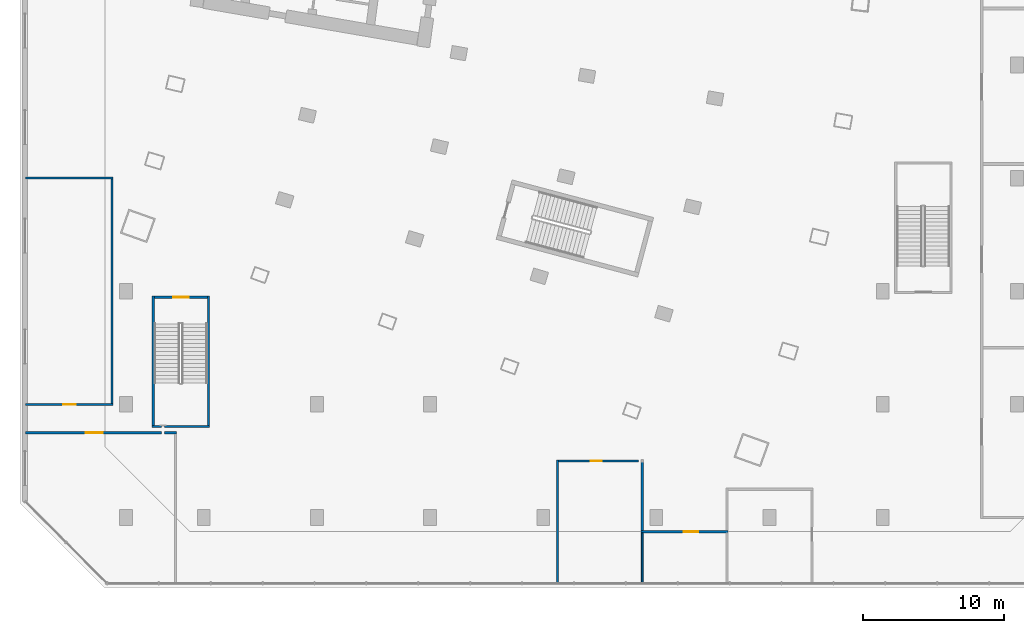
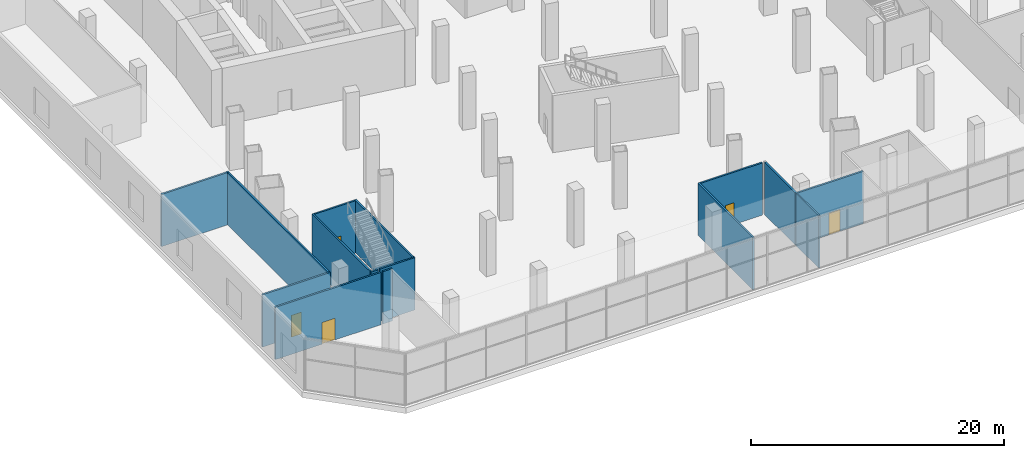
# One storey, part 9 of 26: 15 walls, 5 doors, 5 openings.
"""IFC4 building model written with IfcOpenShell, lengths in metres."""

from ifc_helpers import new_model, si_unit, direction, frame, frame_2d, origin, place, context, subcontext, project, spatial, rectangle, extrude, material, layer, layer_set, type_object, element, fill, save


model = new_model("IFC4")

# Units and contexts
model_context = context("Model", 3, precision=1e-05, world=origin(), true_north=direction((0.0, 1.0)))
body_context = subcontext(model_context, "Body", "Model", "MODEL_VIEW")
ifc_project = project(units=[si_unit("LENGTHUNIT", "METRE"), si_unit("AREAUNIT", "SQUARE_METRE"), si_unit("VOLUMEUNIT", "CUBIC_METRE"), si_unit("PLANEANGLEUNIT", "RADIAN"), si_unit("MASSUNIT", "GRAM", prefix="KILO")], contexts=[model_context])

# Site, building, storey
site_placement = place(None, origin())
site = spatial("IfcSite", under=ifc_project, at=site_placement, CompositionType="ELEMENT")
building_placement = place(site_placement, origin())
building = spatial("IfcBuilding", under=site, at=building_placement, Name="Alderwake Tower", CompositionType="ELEMENT")
storey_placement = place(building_placement, frame((0.0, 0.0, 8.0)))
storey = spatial("IfcBuildingStorey", under=building, at=storey_placement, Name="L01", CompositionType="ELEMENT", Elevation=8.0)

# Wall, opening, door
ifc_material_1 = material(Name="Gypsum board on metal studs, rated")
ifc_layer_1 = layer(ifc_material_1, 0.159912109375)
ifc_layer_set_1 = layer_set([ifc_layer_1], Name="Corridor wall 160")
wall_type_1 = type_object("IfcWallType", Name="Corridor wall 160", PredefinedType="PARTITIONING", material=ifc_layer_set_1)
wall_1_placement = place(storey_placement, frame((3.3798828125, 14.0009765625, 0.0), z_axis=(0.0, 0.0, 1.0), x_axis=(1.0, 0.0, 0.0)))
wall_1 = element("IfcWall", 1, at=wall_1_placement, inside=storey, type_object=wall_type_1, Name="WL/L01/W26", PredefinedType="PARTITIONING", context=body_context, shape_type="SweptSolid", body=[
    extrude(rectangle(XDim=9.63623046875, YDim=0.159912109375, at=frame_2d((4.818115234375, 0.0))), origin(), (0.0, 0.0, 1.0), 5.050048828125),
])
opening_1_placement = place(wall_1_placement, frame((4.27001953125, 0.0, 0.0)))
opening_1 = element("IfcOpeningElement", 2, at=opening_1_placement, cuts=wall_1, Name="Opening L01-18", PredefinedType="OPENING", context=body_context, shape_type="SweptSolid", body=[
    extrude(rectangle(XDim=1.199951171875, YDim=2.10009765625, at=frame_2d((0.60009765625, 1.050048828125))), frame((0.0, 0.08984375, 0.0), z_axis=(0.0, -1.0, 0.0), x_axis=(1.0, 0.0, 0.0)), (0.0, 0.0, 1.0), 0.179931640625),
])
ifc_material_2 = material(Name="Steel door leaf in steel frame", Category="steel")
door_type_1 = type_object("IfcDoorType", Name="Plant room door 1200 steel", OperationType="SINGLE_SWING_LEFT", PredefinedType="DOOR", material=ifc_material_2)
door_1_placement = place(opening_1_placement, origin())
door_1 = element("IfcDoor", 3, at=door_1_placement, inside=storey, type_object=door_type_1, Name="DR/L01/18", OperationType="SINGLE_SWING_LEFT", OverallHeight=2.10009765625, OverallWidth=1.199951171875, PredefinedType="DOOR", context=body_context, shape_type="SweptSolid", body=[
    extrude(rectangle(XDim=1.199951171875, YDim=2.10009765625, at=frame_2d((0.60009765625, 1.050048828125))), frame((0.0, 0.02490234375, 0.0), z_axis=(0.0, -1.0, 0.0), x_axis=(1.0, 0.0, 0.0)), (0.0, 0.0, 1.0), 0.050048828125),
])
fill(opening_1, door_1)

# Wall
wall_2_placement = place(storey_placement, frame((3.3798828125, 32.0009765625, 0.0), z_axis=(0.0, 0.0, 1.0), x_axis=(1.0, 0.0, 0.0)))
element("IfcWall", 4, at=wall_2_placement, inside=storey, type_object=wall_type_1, Name="WL/L01/W27", PredefinedType="PARTITIONING", context=body_context, shape_type="SweptSolid", body=[
    extrude(rectangle(XDim=6.201171875, YDim=0.159912109375, at=frame_2d((3.1005859375, 0.0))), origin(), (0.0, 0.0, 1.0), 5.050048828125),
])

# Wall, opening, door
wall_3_placement = place(storey_placement, frame((9.5810546875, 15.9990234375, 0.0), z_axis=(0.0, 0.0, 1.0), x_axis=(-1.0, 0.0, 0.0)))
wall_3 = element("IfcWall", 5, at=wall_3_placement, inside=storey, type_object=wall_type_1, Name="WL/L01/W30", PredefinedType="PARTITIONING", context=body_context, shape_type="SweptSolid", body=[
    extrude(rectangle(XDim=6.201171875, YDim=0.159912109375, at=frame_2d((3.1005859375, 0.0))), origin(), (0.0, 0.0, 1.0), 5.050048828125),
])
opening_2_placement = place(wall_3_placement, frame((2.631103515625, 0.0, 0.0)))
opening_2 = element("IfcOpeningElement", 6, at=opening_2_placement, cuts=wall_3, Name="Opening L01-19", PredefinedType="OPENING", context=body_context, shape_type="SweptSolid", body=[
    extrude(rectangle(XDim=0.89990234375, YDim=2.10009765625, at=frame_2d((0.449951171875, 1.050048828125))), frame((0.0, 0.08984375, 0.0), z_axis=(0.0, -1.0, 0.0), x_axis=(1.0, 0.0, 0.0)), (0.0, 0.0, 1.0), 0.179931640625),
])
ifc_material_3 = material(Name="Painted timber leaf", Category="wood")
door_type_2 = type_object("IfcDoorType", Name="Room door 900", OperationType="SINGLE_SWING_LEFT", PredefinedType="DOOR", material=ifc_material_3)
door_2_placement = place(opening_2_placement, origin())
door_2 = element("IfcDoor", 7, at=door_2_placement, inside=storey, type_object=door_type_2, Name="DR/L01/19", OperationType="SINGLE_SWING_LEFT", OverallHeight=2.10009765625, OverallWidth=0.89990234375, PredefinedType="DOOR", context=body_context, shape_type="SweptSolid", body=[
    extrude(rectangle(XDim=0.89990234375, YDim=2.10009765625, at=frame_2d((0.449951171875, 1.050048828125))), frame((0.0, 0.02490234375, 0.0), z_axis=(0.0, -1.0, 0.0), x_axis=(1.0, 0.0, 0.0)), (0.0, 0.0, 1.0), 0.050048828125),
])
fill(opening_2, door_2)

# Walls
wall_4_placement = place(storey_placement, frame((9.5009765625, 31.9208984375, 0.0), z_axis=(0.0, 0.0, 1.0), x_axis=(0.0, -1.0, 0.0)))
element("IfcWall", 8, at=wall_4_placement, inside=storey, type_object=wall_type_1, Name="WL/L01/W31", PredefinedType="PARTITIONING", context=body_context, shape_type="SweptSolid", body=[
    extrude(rectangle(XDim=15.841796875, YDim=0.159912109375, at=frame_2d((7.9208984375, 0.0))), origin(), (0.0, 0.0, 1.0), 5.050048828125),
])
wall_5_placement = place(storey_placement, frame((13.2236328125, 14.0009765625, 0.0), z_axis=(0.0, 0.0, 1.0), x_axis=(1.0, 0.0, 0.0)))
element("IfcWall", 9, at=wall_5_placement, inside=storey, type_object=wall_type_1, Name="WL/L01/W36", PredefinedType="PARTITIONING", context=body_context, shape_type="SweptSolid", body=[
    extrude(rectangle(XDim=0.857421875, YDim=0.159912109375, at=frame_2d((0.4287109375, 0.0))), origin(), (0.0, 0.0, 1.0), 5.050048828125),
])
wall_6_placement = place(storey_placement, frame((41.0009765625, 3.3798828125, 0.0), z_axis=(0.0, 0.0, 1.0), x_axis=(0.0, 1.0, 0.0)))
element("IfcWall", 10, at=wall_6_placement, inside=storey, type_object=wall_type_1, Name="WL/L01/W46", PredefinedType="PARTITIONING", context=body_context, shape_type="SweptSolid", body=[
    extrude(rectangle(XDim=8.7001953125, YDim=0.159912109375, at=frame_2d((4.35009765625, 0.0))), origin(), (0.0, 0.0, 1.0), 5.050048828125),
])

# Wall, opening, door
wall_7_placement = place(storey_placement, frame((41.0810546875, 12.0, 0.0), z_axis=(0.0, 0.0, 1.0), x_axis=(1.0, 0.0, 0.0)))
wall_7 = element("IfcWall", 11, at=wall_7_placement, inside=storey, type_object=wall_type_1, Name="WL/L01/W47", PredefinedType="PARTITIONING", context=body_context, shape_type="SweptSolid", body=[
    extrude(rectangle(XDim=5.655029296875, YDim=0.159912109375, at=frame_2d((2.82763671875, 0.0))), origin(), (0.0, 0.0, 1.0), 5.050048828125),
])
opening_3_placement = place(wall_7_placement, frame((2.26904296875, 0.0, 0.0)))
opening_3 = element("IfcOpeningElement", 12, at=opening_3_placement, cuts=wall_7, Name="Opening L01-15", PredefinedType="OPENING", context=body_context, shape_type="SweptSolid", body=[
    extrude(rectangle(XDim=0.800048828125, YDim=2.10009765625, at=frame_2d((0.39990234375, 1.050048828125))), frame((0.0, 0.08984375, 0.0), z_axis=(0.0, -1.0, 0.0), x_axis=(1.0, 0.0, 0.0)), (0.0, 0.0, 1.0), 0.179931640625),
])
ifc_material_4 = material(Name="Painted timber leaf", Category="wood")
door_type_3 = type_object("IfcDoorType", Name="Bathroom door 800", OperationType="SINGLE_SWING_LEFT", PredefinedType="DOOR", material=ifc_material_4)
door_3_placement = place(opening_3_placement, origin())
door_3 = element("IfcDoor", 13, at=door_3_placement, inside=storey, type_object=door_type_3, Name="DR/L01/15", OperationType="SINGLE_SWING_LEFT", OverallHeight=2.10009765625, OverallWidth=0.800048828125, PredefinedType="DOOR", context=body_context, shape_type="SweptSolid", body=[
    extrude(rectangle(XDim=0.800048828125, YDim=2.10009765625, at=frame_2d((0.39990234375, 1.050048828125))), frame((0.0, 0.02490234375, 0.0), z_axis=(0.0, -1.0, 0.0), x_axis=(1.0, 0.0, 0.0)), (0.0, 0.0, 1.0), 0.050048828125),
])
fill(opening_3, door_3)

wall_8_placement = place(storey_placement, frame((46.9208984375, 6.9990234375, 0.0), z_axis=(0.0, 0.0, 1.0), x_axis=(1.0, 0.0, 0.0)))
wall_8 = element("IfcWall", 14, at=wall_8_placement, inside=storey, type_object=wall_type_1, Name="WL/L01/W49", PredefinedType="PARTITIONING", context=body_context, shape_type="SweptSolid", body=[
    extrude(rectangle(XDim=6.16015625, YDim=0.159912109375, at=frame_2d((3.080078125, 0.0))), origin(), (0.0, 0.0, 1.0), 5.050048828125),
])
opening_4_placement = place(wall_8_placement, frame((3.029052734375, 0.0, 0.0)))
opening_4 = element("IfcOpeningElement", 15, at=opening_4_placement, cuts=wall_8, Name="Opening L01-16", PredefinedType="OPENING", context=body_context, shape_type="SweptSolid", body=[
    extrude(rectangle(XDim=1.0, YDim=2.10009765625, at=frame_2d((0.5, 1.050048828125))), frame((0.0, 0.08984375, 0.0), z_axis=(0.0, -1.0, 0.0), x_axis=(1.0, 0.0, 0.0)), (0.0, 0.0, 1.0), 0.179931640625),
])
ifc_material_5 = material(Name="Painted timber leaf", Category="wood")
door_type_4 = type_object("IfcDoorType", Name="Accessible WC door 1000", OperationType="SINGLE_SWING_LEFT", PredefinedType="DOOR", material=ifc_material_5)
door_4_placement = place(opening_4_placement, origin())
door_4 = element("IfcDoor", 16, at=door_4_placement, inside=storey, type_object=door_type_4, Name="DR/L01/16", OperationType="SINGLE_SWING_LEFT", OverallHeight=2.10009765625, OverallWidth=1.0, PredefinedType="DOOR", context=body_context, shape_type="SweptSolid", body=[
    extrude(rectangle(XDim=1.0, YDim=2.10009765625, at=frame_2d((0.5, 1.050048828125))), frame((0.0, 0.02490234375, 0.0), z_axis=(0.0, -1.0, 0.0), x_axis=(1.0, 0.0, 0.0)), (0.0, 0.0, 1.0), 0.050048828125),
])
fill(opening_4, door_4)

# Wall
wall_9_placement = place(storey_placement, frame((47.0009765625, 11.919921875, 0.0), z_axis=(0.0, 0.0, 1.0), x_axis=(0.0, -1.0, 0.0)))
element("IfcWall", 17, at=wall_9_placement, inside=storey, type_object=wall_type_1, Name="WL/L01/W50", PredefinedType="PARTITIONING", context=body_context, shape_type="SweptSolid", body=[
    extrude(rectangle(XDim=4.8408203125, YDim=0.159912109375, at=frame_2d((2.42041015625, 0.0))), origin(), (0.0, 0.0, 1.0), 5.050048828125),
])

# Wall, opening, door
ifc_material_6 = material(Name="Gypsum shaft wall system, rated")
ifc_layer_2 = layer(ifc_material_6, 0.14990234375)
ifc_layer_set_2 = layer_set([ifc_layer_2], Name="Riser and shaft wall 150")
wall_type_2 = type_object("IfcWallType", Name="Riser and shaft wall 150", PredefinedType="PARTITIONING", material=ifc_layer_set_2)
wall_10_placement = place(storey_placement, frame((12.5009765625, 23.573974609375, 0.0), z_axis=(0.0, 0.0, 1.0), x_axis=(1.0, 0.0, 0.0)))
wall_10 = element("IfcWall", 18, at=wall_10_placement, inside=storey, type_object=wall_type_2, Name="WL/L01/W15", PredefinedType="PARTITIONING", context=body_context, shape_type="SweptSolid", body=[
    extrude(rectangle(XDim=3.75, YDim=0.14990234375, at=frame_2d((1.875, 0.0))), origin(), (0.0, 0.0, 1.0), 5.050048828125),
])
opening_5_placement = place(wall_10_placement, frame((1.323974609375, 0.0, 0.0)))
opening_5 = element("IfcOpeningElement", 19, at=opening_5_placement, cuts=wall_10, Name="Opening L01-20", PredefinedType="OPENING", context=body_context, shape_type="SweptSolid", body=[
    extrude(rectangle(XDim=1.10009765625, YDim=2.10009765625, at=frame_2d((0.550048828125, 1.050048828125))), frame((0.0, 0.0849609375, 0.0), z_axis=(0.0, -1.0, 0.0), x_axis=(1.0, 0.0, 0.0)), (0.0, 0.0, 1.0), 0.169921875),
])
ifc_material_7 = material(Name="Steel-framed fire door leaf", Category="steel")
door_type_5 = type_object("IfcDoorType", Name="Stair door 1100 fire-rated", OperationType="SINGLE_SWING_LEFT", PredefinedType="DOOR", material=ifc_material_7)
door_5_placement = place(opening_5_placement, origin())
door_5 = element("IfcDoor", 20, at=door_5_placement, inside=storey, type_object=door_type_5, Name="DR/L01/20", OperationType="SINGLE_SWING_LEFT", OverallHeight=2.10009765625, OverallWidth=1.10009765625, PredefinedType="DOOR", context=body_context, shape_type="SweptSolid", body=[
    extrude(rectangle(XDim=1.10009765625, YDim=2.10009765625, at=frame_2d((0.550048828125, 1.050048828125))), frame((0.0, 0.02490234375, 0.0), z_axis=(0.0, -1.0, 0.0), x_axis=(1.0, 0.0, 0.0)), (0.0, 0.0, 1.0), 0.050048828125),
])
fill(opening_5, door_5)

# Walls
ifc_material_8 = material(Name="Concrete C40/50", Category="concrete")
ifc_layer_3 = layer(ifc_material_8, 0.14990234375)
ifc_layer_set_3 = layer_set([ifc_layer_3], Name="Stair shaft wall 150 C40/50")
wall_type_3 = type_object("IfcWallType", Name="Stair shaft wall 150 C40/50", PredefinedType="SHEAR", material=ifc_layer_set_3)
wall_11_placement = place(storey_placement, frame((12.35107421875, 14.424072265625, 0.0), z_axis=(0.0, 0.0, 1.0), x_axis=(1.0, 0.0, 0.0)))
element("IfcWall", 21, at=wall_11_placement, inside=storey, type_object=wall_type_3, Name="WL/L01/W08", PredefinedType="SHEAR", context=body_context, shape_type="SweptSolid", body=[
    extrude(rectangle(XDim=0.659912109375, YDim=0.14990234375, at=frame_2d((0.330078125, 0.0))), origin(), (0.0, 0.0, 1.0), 5.050048828125),
])
wall_12_placement = place(storey_placement, frame((12.426025390625, 23.64892578125, 0.0), z_axis=(0.0, 0.0, 1.0), x_axis=(0.0, -1.0, 0.0)))
element("IfcWall", 22, at=wall_12_placement, inside=storey, type_object=wall_type_3, Name="WL/L01/W09", PredefinedType="SHEAR", context=body_context, shape_type="SweptSolid", body=[
    extrude(rectangle(XDim=9.14990234375, YDim=0.14990234375, at=frame_2d((4.574951171875, 0.0))), origin(), (0.0, 0.0, 1.0), 5.050048828125),
])
wall_13_placement = place(storey_placement, frame((13.20703125, 14.424072265625, 0.0), z_axis=(0.0, 0.0, 1.0), x_axis=(1.0, 0.0, 0.0)))
element("IfcWall", 23, at=wall_13_placement, inside=storey, type_object=wall_type_3, Name="WL/L01/W12", PredefinedType="SHEAR", context=body_context, shape_type="SweptSolid", body=[
    extrude(rectangle(XDim=3.19384765625, YDim=0.14990234375, at=frame_2d((1.596923828125, 0.0))), origin(), (0.0, 0.0, 1.0), 5.050048828125),
])
wall_14_placement = place(storey_placement, frame((16.325927734375, 14.4990234375, 0.0), z_axis=(0.0, 0.0, 1.0), x_axis=(0.0, 1.0, 0.0)))
element("IfcWall", 24, at=wall_14_placement, inside=storey, type_object=wall_type_3, Name="WL/L01/W14", PredefinedType="SHEAR", context=body_context, shape_type="SweptSolid", body=[
    extrude(rectangle(XDim=9.14990234375, YDim=0.14990234375, at=frame_2d((4.574951171875, 0.0))), origin(), (0.0, 0.0, 1.0), 5.050048828125),
])
ifc_material_9 = material(Name="Moisture resistant gypsum board on metal studs")
ifc_layer_4 = layer(ifc_material_9, 0.1201171875)
ifc_layer_set_4 = layer_set([ifc_layer_4], Name="Wet room partition 120")
wall_type_4 = type_object("IfcWallType", Name="Wet room partition 120", PredefinedType="PARTITIONING", material=ifc_layer_set_4)
wall_15_placement = place(storey_placement, frame((47.0009765625, 3.3798828125, 0.0), z_axis=(0.0, 0.0, 1.0), x_axis=(0.0, 1.0, 0.0)))
element("IfcWall", 25, at=wall_15_placement, inside=storey, type_object=wall_type_4, Name="WL/L01/W66", PredefinedType="PARTITIONING", context=body_context, shape_type="SweptSolid", body=[
    extrude(rectangle(XDim=3.5390625, YDim=0.1201171875, at=frame_2d((1.76953125, 0.0))), origin(), (0.0, 0.0, 1.0), 5.050048828125),
])

save(model, "model.ifc")
